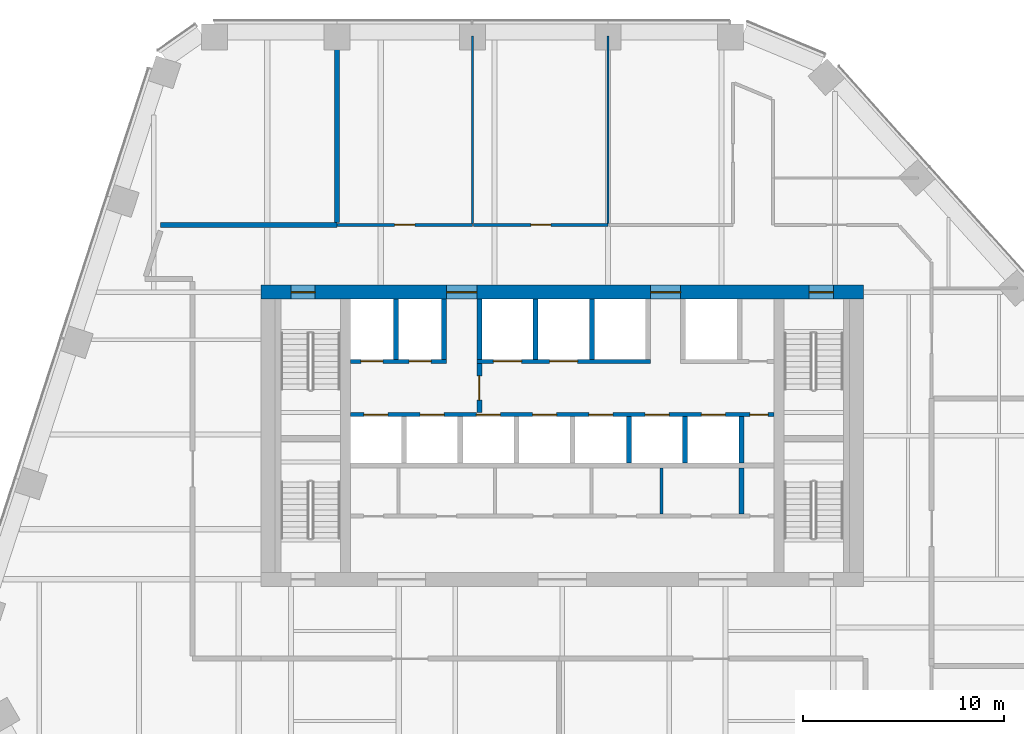
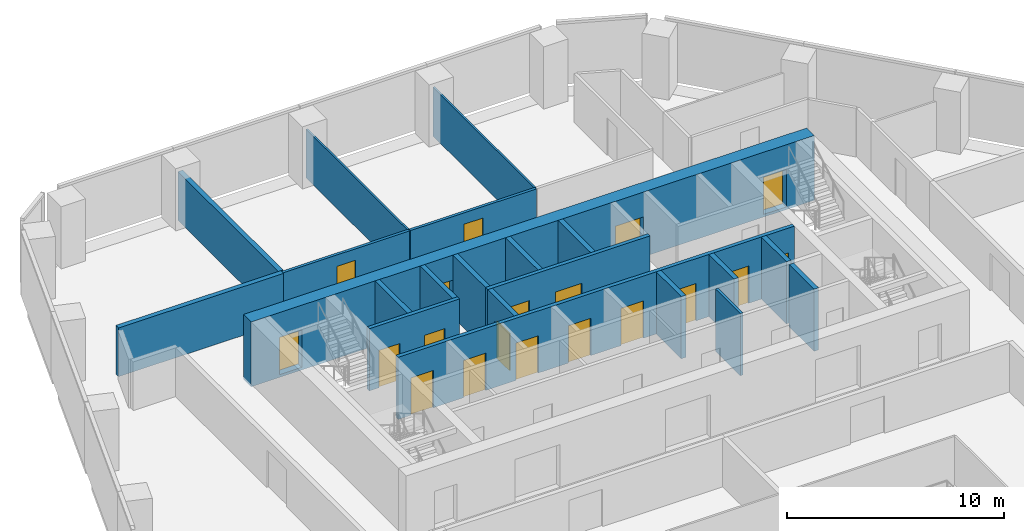
# One storey, part 12 of 16: 21 walls, 19 doors, 19 openings.
"""IFC4 building model written with IfcOpenShell, lengths in metres."""

import ifcopenshell
import ifcopenshell.guid

model = None  # the IFC model being written
_history = None  # IfcOwnerHistory: only IFC2X3 demands one
_inside = {}  # id of a spatial element -> (the spatial element, [elements in it])
_under = {}  # id of a project, library or spatial element -> (it, [spatial elements below it])
_declared = {}  # id of a project -> (the project, [libraries it declares])
_typed = {}  # id of a type object -> (the type object, [elements of that type])
_made_of = {}  # id of a material, layer set ... -> (it, [elements and type objects made of it])


def new_model(schema):
    """Start an empty IFC model of exactly this schema.

    Asked for "IFC4X3", IfcOpenShell would pick the latest addendum, in which some entities
    have other attributes; the version numbers below select the first issue.
    IFC2X3 requires an IfcOwnerHistory on every rooted entity: one is made here for all.
    """
    global model, _history
    if schema == "IFC4X3":
        model = ifcopenshell.file(schema_version=(4, 3, 0, 0))
    else:
        model = ifcopenshell.file(schema=schema)
    _inside.clear()
    _under.clear()
    _declared.clear()
    _typed.clear()
    _made_of.clear()
    _history = None
    if model.schema == "IFC2X3":
        org = make("IfcOrganization", Name="unknown")
        user = make(
            "IfcPersonAndOrganization",
            ThePerson=make("IfcPerson", FamilyName="unknown"),
            TheOrganization=org,
        )
        app = make(
            "IfcApplication",
            ApplicationDeveloper=org,
            Version="unknown",
            ApplicationFullName="unknown",
            ApplicationIdentifier="unknown",
        )
        _history = make(
            "IfcOwnerHistory",
            OwningUser=user,
            OwningApplication=app,
            ChangeAction="ADDED",
            CreationDate=0,
        )
    return model


def make(cls, **values):
    """One entity of the class cls with the attributes given. An attribute that is None is left unset."""
    return model.create_entity(
        cls, **{name: value for name, value in values.items() if value is not None}
    )


def rooted(cls, **values):
    """An entity with a GlobalId (a new one), such as an element, a storey or a relation."""
    return make(cls, GlobalId=ifcopenshell.guid.new(), OwnerHistory=_history, **values)


def si_unit(unit_type, name, prefix=None):
    """IfcSIUnit, for example si_unit("LENGTHUNIT", "METRE", prefix="MILLI")."""
    return make("IfcSIUnit", UnitType=unit_type, Prefix=prefix, Name=name)


def assignment(units):
    """IfcUnitAssignment: the units of a project."""
    return None if units is None else make("IfcUnitAssignment", Units=units)


def point(xyz):
    """IfcCartesianPoint."""
    return None if xyz is None else make("IfcCartesianPoint", Coordinates=xyz)


def direction(xyz):
    """IfcDirection."""
    return None if xyz is None else make("IfcDirection", DirectionRatios=xyz)


def frame(location, z_axis=None, x_axis=None):
    """IfcAxis2Placement3D, a coordinate frame: its origin and axes. An axis left out is left unset."""
    return make(
        "IfcAxis2Placement3D",
        Location=point(location),
        Axis=direction(z_axis),
        RefDirection=direction(x_axis),
    )


def frame_2d(location, x_axis=None):
    """IfcAxis2Placement2D, a coordinate frame in the plane: its origin and x axis."""
    return make(
        "IfcAxis2Placement2D", Location=point(location), RefDirection=direction(x_axis)
    )


def origin():
    """The frame at (0, 0, 0) with its axes left unset."""
    return frame((0.0, 0.0, 0.0))


def place(relative_to, where):
    """IfcLocalPlacement: puts the frame where relative to a parent placement (None: the world)."""
    return make(
        "IfcLocalPlacement", PlacementRelTo=relative_to, RelativePlacement=where
    )


def context(
    kind, dimensions, precision=None, world=None, true_north=None, identifier=None
):
    """IfcGeometricRepresentationContext, for example the 3D "Model" context."""
    return make(
        "IfcGeometricRepresentationContext",
        ContextIdentifier=identifier,
        ContextType=kind,
        CoordinateSpaceDimension=dimensions,
        Precision=precision,
        WorldCoordinateSystem=world,
        TrueNorth=true_north,
    )


def subcontext(parent, identifier, kind, view, scale=None):
    """IfcGeometricRepresentationSubContext, for example "Body" below "Model"."""
    return make(
        "IfcGeometricRepresentationSubContext",
        ContextIdentifier=identifier,
        ContextType=kind,
        ParentContext=parent,
        TargetScale=scale,
        TargetView=view,
    )


def project(units=None, contexts=None):
    """IfcProject with its units and contexts."""
    return rooted(
        "IfcProject",
        Name="project",
        RepresentationContexts=contexts,
        UnitsInContext=assignment(units),
    )


def spatial(cls, under=None, at=None, **own):
    """A site, building, storey or space (cls), placed at a placement, below another one or the project."""
    s = rooted(cls, ObjectPlacement=at, **own)
    if under is not None:
        _under.setdefault(under.id(), (under, []))[1].append(s)
    return s


def profile(cls, at=None, kind="AREA", **sizes):
    """A parametric profile (cls). Its sizes go by their IFC names, for example OverallWidth=200.0."""
    return make(cls, ProfileType=kind, Position=at, **sizes)


def rectangle(**sizes):
    """IfcRectangleProfileDef."""
    return profile("IfcRectangleProfileDef", **sizes)


def extrude(swept, where, along, depth):
    """IfcExtrudedAreaSolid: the profile swept, set in the frame where, extruded along a direction by depth."""
    return make(
        "IfcExtrudedAreaSolid",
        SweptArea=swept,
        Position=where,
        ExtrudedDirection=direction(along),
        Depth=depth,
    )


def shape(context_of_items, identifier, shape_type, items):
    """IfcShapeRepresentation: the items that make up one representation, for example the "Body"."""
    return make(
        "IfcShapeRepresentation",
        ContextOfItems=context_of_items,
        RepresentationIdentifier=identifier,
        RepresentationType=shape_type,
        Items=items,
    )


def material(Name=None, Category=None):
    """IfcMaterial."""
    return make("IfcMaterial", Name=Name, Category=Category)


def layer(
    of_material, thickness, ventilated=None, Name=None, Category=None, Priority=None
):
    """IfcMaterialLayer: one layer of a wall or slab, of a material (None: an air gap)."""
    return make(
        "IfcMaterialLayer",
        Material=of_material,
        LayerThickness=thickness,
        IsVentilated=ventilated,
        Name=Name,
        Category=Category,
        Priority=Priority,
    )


def layer_set(layers, Name=None):
    """IfcMaterialLayerSet."""
    return make("IfcMaterialLayerSet", MaterialLayers=layers, LayerSetName=Name)


def made_of(thing, what):
    """Note that an element or type object is made of a material, layer set ...; save() writes the relation."""
    if what is not None:
        _made_of.setdefault(what.id(), (what, []))[1].append(thing)
    return thing


def type_object(cls, material=None, **own):
    """A type object (cls), such as IfcWallType, which elements share."""
    return made_of(rooted(cls, **own), material)


def element(
    cls,
    number,
    at=None,
    inside=None,
    cuts=None,
    type_object=None,
    material=None,
    context=None,
    identifier="Body",
    shape_type=None,
    held_by="IfcProductDefinitionShape",
    body=None,
    shapes=None,
    **own,
):
    """One element of the class cls, such as IfcWall. Its Tag is "e" and its number.

    at: its placement. inside: the storey or other place that contains it. cuts: it is an
    opening in that element (IfcRelVoidsElement). A single representation is given by context,
    identifier, shape_type and body (its items); several are given by shapes. held_by: the class
    of the entity that holds the representations. save() writes the other relations.
    """
    e = rooted(cls, Tag="e%d" % number, ObjectPlacement=at, **own)
    if body is not None:
        shapes = [shape(context, identifier, shape_type, body)]
    if shapes is not None:
        e.Representation = make(held_by, Representations=shapes)
    if inside is not None:
        _inside.setdefault(inside.id(), (inside, []))[1].append(e)
    if cuts is not None:
        rooted(
            "IfcRelVoidsElement", RelatingBuildingElement=cuts, RelatedOpeningElement=e
        )
    if type_object is not None:
        _typed.setdefault(type_object.id(), (type_object, []))[1].append(e)
    return made_of(e, material)


def fill(opening, filler):
    """IfcRelFillsElement: the door or window that sits in an opening."""
    return rooted(
        "IfcRelFillsElement",
        RelatingOpeningElement=opening,
        RelatedBuildingElement=filler,
    )


def aggregate(whole, parts):
    """IfcRelAggregates: a whole, such as a stair, and the parts it consists of."""
    return rooted("IfcRelAggregates", RelatingObject=whole, RelatedObjects=parts)


def save(model, path):
    """Write the relations noted so far, then the file.

    IfcRelAggregates (storeys below a building ...), IfcRelContainedInSpatialStructure (elements
    in a storey), IfcRelDefinesByType, IfcRelAssociatesMaterial and IfcRelDeclares: one each for
    every whole, place, type object, material and project.
    """
    for whole, parts in _under.values():
        aggregate(whole, parts)
    for where, things in _inside.values():
        rooted(
            "IfcRelContainedInSpatialStructure",
            RelatedElements=things,
            RelatingStructure=where,
        )
    for kind, things in _typed.values():
        rooted("IfcRelDefinesByType", RelatedObjects=things, RelatingType=kind)
    for what, things in _made_of.values():
        rooted("IfcRelAssociatesMaterial", RelatedObjects=things, RelatingMaterial=what)
    for by, libraries in _declared.values():
        rooted("IfcRelDeclares", RelatingContext=by, RelatedDefinitions=libraries)
    model.write(path)


model = new_model("IFC4")

# Units and contexts
model_context = context("Model", 3, precision=1e-05, world=origin(), true_north=direction((0.0, 1.0)))
body_context = subcontext(model_context, "Body", "Model", "MODEL_VIEW")
ifc_project = project(units=[si_unit("LENGTHUNIT", "METRE"), si_unit("AREAUNIT", "SQUARE_METRE"), si_unit("VOLUMEUNIT", "CUBIC_METRE"), si_unit("PLANEANGLEUNIT", "RADIAN"), si_unit("MASSUNIT", "GRAM", prefix="KILO")], contexts=[model_context])

# Site, building, storey
site_placement = place(None, origin())
site = spatial("IfcSite", under=ifc_project, at=site_placement, CompositionType="ELEMENT")
building_placement = place(site_placement, origin())
building = spatial("IfcBuilding", under=site, at=building_placement, Name="Isthmus Gate Tower", CompositionType="ELEMENT")
storey_placement = place(building_placement, frame((0.0, 0.0, 196.35009765625)))
storey = spatial("IfcBuildingStorey", under=building, at=storey_placement, Name="L49", CompositionType="ELEMENT", Elevation=196.35009765625)

# Walls
ifc_material_1 = material(Name="Double-leaf acoustic stud wall, fire-rated", Category="gypsum")
ifc_layer_1 = layer(ifc_material_1, 0.25)
ifc_layer_set_1 = layer_set([ifc_layer_1], Name="ACOUSTIC WALL 250 60 MIN")
wall_type_1 = type_object("IfcWallType", Name="ACOUSTIC WALL 250 60 MIN", PredefinedType="PARTITIONING", material=ifc_layer_set_1)
wall_1_placement = place(storey_placement, frame((-19.9970703125, 18.0, 0.0), z_axis=(0.0, 0.0, 1.0), x_axis=(1.0, 0.0, 0.0)))
element("IfcWall", 1, at=wall_1_placement, inside=storey, type_object=wall_type_1, Name="L49 Acoustic Wall 250 60 Min", PredefinedType="PARTITIONING", context=body_context, shape_type="SweptSolid", body=[
    extrude(rectangle(XDim=8.78515625, YDim=0.25, at=frame_2d((4.392578125, 0.0))), origin(), (0.0, 0.0, 1.0), 2.7412109375),
])
wall_2_placement = place(storey_placement, frame((-11.2119140625, 18.125, 0.0), z_axis=(0.0, 0.0, 1.0), x_axis=(0.0, 1.0, 0.0)))
element("IfcWall", 2, at=wall_2_placement, inside=storey, type_object=wall_type_1, Name="L49 Acoustic Wall 250 60 Min", PredefinedType="PARTITIONING", context=body_context, shape_type="SweptSolid", body=[
    extrude(rectangle(XDim=9.27490234375, YDim=0.25, at=frame_2d((4.637451171875, 0.0))), origin(), (0.0, 0.0, 1.0), 2.7412109375),
])

# Wall, opening, door
ifc_material_2 = material(Name="Gypsum board on steel studs, fire-rated", Category="steel")
ifc_layer_2 = layer(ifc_material_2, 0.14990234375)
ifc_layer_set_2 = layer_set([ifc_layer_2], Name="CORRIDOR WALL 150 60 MIN")
wall_type_2 = type_object("IfcWallType", Name="CORRIDOR WALL 150 60 MIN", PredefinedType="PARTITIONING", material=ifc_layer_set_2)
wall_3_placement = place(storey_placement, frame((-11.2119140625, 18.0, 0.0), z_axis=(0.0, 0.0, 1.0), x_axis=(1.0, 0.0, 0.0)))
wall_3 = element("IfcWall", 3, at=wall_3_placement, inside=storey, type_object=wall_type_2, Name="L49 Corridor Wall 150 60 Min", PredefinedType="PARTITIONING", context=body_context, shape_type="SweptSolid", body=[
    extrude(rectangle(XDim=6.75, YDim=0.14990234375, at=frame_2d((3.375, 0.0))), origin(), (0.0, 0.0, 1.0), 2.7412109375),
])
opening_1_placement = place(wall_3_placement, frame((2.875, 0.0, 0.0)))
opening_1 = element("IfcOpeningElement", 4, at=opening_1_placement, cuts=wall_3, Name="Opening DT-T4C-01", PredefinedType="OPENING", context=body_context, shape_type="SweptSolid", body=[
    extrude(rectangle(XDim=1.0, YDim=2.10009765625, at=frame_2d((0.5, 1.050048828125))), frame((0.0, 0.0849609375, 0.0), z_axis=(0.0, -1.0, 0.0), x_axis=(1.0, 0.0, 0.0)), (0.0, 0.0, 1.0), 0.169921875),
])
ifc_material_3 = material(Name="Solid core timber door leaf, fire-rated", Category="wood")
door_type_1 = type_object("IfcDoorType", Name="FIRE DOOR ROOM 1000 X 2100 60 MIN", OperationType="SINGLE_SWING_LEFT", PredefinedType="DOOR", material=ifc_material_3)
door_1_placement = place(opening_1_placement, origin())
door_1 = element("IfcDoor", 5, at=door_1_placement, inside=storey, type_object=door_type_1, Name="L49 room door", OperationType="SINGLE_SWING_RIGHT", OverallHeight=2.10009765625, OverallWidth=1.0, PredefinedType="DOOR", context=body_context, shape_type="SweptSolid", body=[
    extrude(rectangle(XDim=1.0, YDim=2.10009765625, at=frame_2d((0.5, 1.050048828125))), frame((0.0, 0.02490234375, 0.0), z_axis=(0.0, -1.0, 0.0), x_axis=(1.0, 0.0, 0.0)), (0.0, 0.0, 1.0), 0.050048828125),
])
fill(opening_1, door_1)

wall_4_placement = place(storey_placement, frame((-4.412109375, 18.0, 0.0), z_axis=(0.0, 0.0, 1.0), x_axis=(1.0, 0.0, 0.0)))
wall_4 = element("IfcWall", 6, at=wall_4_placement, inside=storey, type_object=wall_type_2, Name="L49 Corridor Wall 150 60 Min", PredefinedType="PARTITIONING", context=body_context, shape_type="SweptSolid", body=[
    extrude(rectangle(XDim=6.7001953125, YDim=0.14990234375, at=frame_2d((3.35009765625, 0.0))), origin(), (0.0, 0.0, 1.0), 2.7412109375),
])
opening_2_placement = place(wall_4_placement, frame((2.85009765625, 0.0, 0.0)))
opening_2 = element("IfcOpeningElement", 7, at=opening_2_placement, cuts=wall_4, Name="Opening DT-T4C-02", PredefinedType="OPENING", context=body_context, shape_type="SweptSolid", body=[
    extrude(rectangle(XDim=1.0, YDim=2.10009765625, at=frame_2d((0.5, 1.050048828125))), frame((0.0, 0.0849609375, 0.0), z_axis=(0.0, -1.0, 0.0), x_axis=(1.0, 0.0, 0.0)), (0.0, 0.0, 1.0), 0.169921875),
])
door_2_placement = place(opening_2_placement, origin())
door_2 = element("IfcDoor", 8, at=door_2_placement, inside=storey, type_object=door_type_1, Name="L49 room door", OperationType="SINGLE_SWING_RIGHT", OverallHeight=2.10009765625, OverallWidth=1.0, PredefinedType="DOOR", context=body_context, shape_type="SweptSolid", body=[
    extrude(rectangle(XDim=1.0, YDim=2.10009765625, at=frame_2d((0.5, 1.050048828125))), frame((0.0, 0.02490234375, 0.0), z_axis=(0.0, -1.0, 0.0), x_axis=(1.0, 0.0, 0.0)), (0.0, 0.0, 1.0), 0.050048828125),
])
fill(opening_2, door_2)

ifc_material_4 = material(Name="Fire-rated blockwork masonry, 15 MPa", Category="masonry")
ifc_layer_3 = layer(ifc_material_4, 0.25)
ifc_layer_set_3 = layer_set([ifc_layer_3], Name="FIRE-FIGHTING LOBBY WALL 250 90 MIN")
wall_type_3 = type_object("IfcWallType", Name="FIRE-FIGHTING LOBBY WALL 250 90 MIN", PredefinedType="PARTITIONING", material=ifc_layer_set_3)
wall_5_placement = place(storey_placement, frame((-4.125, 8.64990234375, 0.0), z_axis=(0.0, 0.0, 1.0), x_axis=(0.0, 1.0, 0.0)))
wall_5 = element("IfcWall", 9, at=wall_5_placement, inside=storey, type_object=wall_type_3, Name="L49 FIRE-FIGHTING LOBBY WALL 250 90 MIN", PredefinedType="PARTITIONING", context=body_context, shape_type="SweptSolid", body=[
    extrude(rectangle(XDim=2.4501953125, YDim=0.25, at=frame_2d((1.22509765625, 0.0))), origin(), (0.0, 0.0, 1.0), 3.5),
])
opening_3_placement = place(wall_5_placement, frame((0.625, 0.0, 0.0)))
opening_3 = element("IfcOpeningElement", 10, at=opening_3_placement, cuts=wall_5, Name="Opening DC-A12-01", PredefinedType="OPENING", context=body_context, shape_type="SweptSolid", body=[
    extrude(rectangle(XDim=1.199951171875, YDim=2.10009765625, at=frame_2d((0.60009765625, 1.050048828125))), frame((0.0, 0.135009765625, 0.0), z_axis=(0.0, -1.0, 0.0), x_axis=(1.0, 0.0, 0.0)), (0.0, 0.0, 1.0), 0.27001953125),
])
ifc_material_5 = material(Name="Steel door leaf, fire-rated", Category="steel")
door_type_2 = type_object("IfcDoorType", Name="LOBBY FIRE DOOR 1200 X 2100 90 MIN", OperationType="DOUBLE_DOOR_SINGLE_SWING", PredefinedType="DOOR", material=ifc_material_5)
door_3_placement = place(opening_3_placement, origin())
door_3 = element("IfcDoor", 11, at=door_3_placement, inside=storey, type_object=door_type_2, Name="Fire-fighting Lobby Door", OperationType="SINGLE_SWING_LEFT", OverallHeight=2.10009765625, OverallWidth=1.199951171875, PredefinedType="DOOR", context=body_context, shape_type="SweptSolid", body=[
    extrude(rectangle(XDim=1.199951171875, YDim=2.10009765625, at=frame_2d((0.60009765625, 1.050048828125))), frame((0.0, 0.02490234375, 0.0), z_axis=(0.0, -1.0, 0.0), x_axis=(1.0, 0.0, 0.0)), (0.0, 0.0, 1.0), 0.050048828125),
])
fill(opening_3, door_3)

# Wall, openings, doors
ifc_material_6 = material(Name="Concrete f'c 60 MPa", Category="concrete")
ifc_layer_4 = layer(ifc_material_6, 0.699951171875)
ifc_layer_set_4 = layer_set([ifc_layer_4], Name="RC CORE WALL 700 F'C 60")
wall_type_4 = type_object("IfcWallType", Name="RC CORE WALL 700 F'C 60", PredefinedType="SOLIDWALL", material=ifc_layer_set_4)
wall_6_placement = place(storey_placement, frame((-15.0, 14.64990234375, -0.150146484375), z_axis=(0.0, 0.0, 1.0), x_axis=(1.0, 0.0, 0.0)))
wall_6 = element("IfcWall", 12, at=wall_6_placement, inside=storey, type_object=wall_type_4, Name="str-corewall-L49-N", PredefinedType="SOLIDWALL", context=body_context, shape_type="SweptSolid", body=[
    extrude(rectangle(XDim=30.0, YDim=0.699951171875, at=frame_2d((15.0, 0.0))), origin(), (0.0, 0.0, 1.0), 3.650146484375),
])
opening_4_placement = place(wall_6_placement, frame((9.25, 0.0, 0.14990234375)))
opening_4 = element("IfcOpeningElement", 13, at=opening_4_placement, cuts=wall_6, Name="Opening DC-A12-13", PredefinedType="OPENING", context=body_context, shape_type="SweptSolid", body=[
    extrude(rectangle(XDim=1.5, YDim=2.10009765625, at=frame_2d((0.75, 1.050048828125))), frame((0.0, 0.35986328125, 0.0), z_axis=(0.0, -1.0, 0.0), x_axis=(1.0, 0.0, 0.0)), (0.0, 0.0, 1.0), 0.719970703125),
])
opening_5_placement = place(wall_6_placement, frame((19.39990234375, 0.0, 0.14990234375)))
opening_5 = element("IfcOpeningElement", 14, at=opening_5_placement, cuts=wall_6, Name="Opening DC-A12-14", PredefinedType="OPENING", context=body_context, shape_type="SweptSolid", body=[
    extrude(rectangle(XDim=1.5, YDim=2.10009765625, at=frame_2d((0.75, 1.050048828125))), frame((0.0, 0.35986328125, 0.0), z_axis=(0.0, -1.0, 0.0), x_axis=(1.0, 0.0, 0.0)), (0.0, 0.0, 1.0), 0.719970703125),
])
opening_6_placement = place(wall_6_placement, frame((1.5, 0.0, 0.14990234375)))
opening_6 = element("IfcOpeningElement", 15, at=opening_6_placement, cuts=wall_6, Name="Opening DC-A12-15", PredefinedType="OPENING", context=body_context, shape_type="SweptSolid", body=[
    extrude(rectangle(XDim=1.199951171875, YDim=2.10009765625, at=frame_2d((0.60009765625, 1.050048828125))), frame((0.0, 0.35986328125, 0.0), z_axis=(0.0, -1.0, 0.0), x_axis=(1.0, 0.0, 0.0)), (0.0, 0.0, 1.0), 0.719970703125),
])
opening_7_placement = place(wall_6_placement, frame((27.300048828125, 0.0, 0.14990234375)))
opening_7 = element("IfcOpeningElement", 16, at=opening_7_placement, cuts=wall_6, Name="Opening DC-A12-16", PredefinedType="OPENING", context=body_context, shape_type="SweptSolid", body=[
    extrude(rectangle(XDim=1.199951171875, YDim=2.10009765625, at=frame_2d((0.60009765625, 1.050048828125))), frame((0.0, 0.35986328125, 0.0), z_axis=(0.0, -1.0, 0.0), x_axis=(1.0, 0.0, 0.0)), (0.0, 0.0, 1.0), 0.719970703125),
])
ifc_material_7 = material(Name="Steel door leaf, fire-rated", Category="steel")
door_type_3 = type_object("IfcDoorType", Name="LOBBY FIRE DOOR 1500 X 2100 60 MIN", OperationType="DOUBLE_DOOR_SINGLE_SWING", PredefinedType="DOOR", material=ifc_material_7)
door_4_placement = place(opening_5_placement, origin())
door_4 = element("IfcDoor", 17, at=door_4_placement, inside=storey, type_object=door_type_3, Name="Lobby Door PN-E", OperationType="DOUBLE_DOOR_SINGLE_SWING", OverallHeight=2.10009765625, OverallWidth=1.5, PredefinedType="DOOR", context=body_context, shape_type="SweptSolid", body=[
    extrude(rectangle(XDim=1.5, YDim=2.10009765625, at=frame_2d((0.75, 1.050048828125))), frame((0.0, 0.02490234375, 0.0), z_axis=(0.0, -1.0, 0.0), x_axis=(1.0, 0.0, 0.0)), (0.0, 0.0, 1.0), 0.050048828125),
])
fill(opening_5, door_4)
ifc_material_8 = material(Name="Steel door leaf, fire-rated", Category="steel")
door_type_4 = type_object("IfcDoorType", Name="LOBBY FIRE DOOR 1500 X 2100 90 MIN", OperationType="DOUBLE_DOOR_SINGLE_SWING", PredefinedType="DOOR", material=ifc_material_8)
door_5_placement = place(opening_4_placement, origin())
door_5 = element("IfcDoor", 18, at=door_5_placement, inside=storey, type_object=door_type_4, Name="Lobby Door PN-W", OperationType="DOUBLE_DOOR_SINGLE_SWING", OverallHeight=2.10009765625, OverallWidth=1.5, PredefinedType="DOOR", context=body_context, shape_type="SweptSolid", body=[
    extrude(rectangle(XDim=1.5, YDim=2.10009765625, at=frame_2d((0.75, 1.050048828125))), frame((0.0, 0.02490234375, 0.0), z_axis=(0.0, -1.0, 0.0), x_axis=(1.0, 0.0, 0.0)), (0.0, 0.0, 1.0), 0.050048828125),
])
fill(opening_4, door_5)
ifc_material_9 = material(Name="Steel door leaf, fire-rated", Category="steel")
door_type_5 = type_object("IfcDoorType", Name="STAIR FIRE DOOR 1200 X 2100 90 MIN", OperationType="SINGLE_SWING_LEFT", PredefinedType="DOOR", material=ifc_material_9)
door_6_placement = place(opening_6_placement, origin())
door_6 = element("IfcDoor", 19, at=door_6_placement, inside=storey, type_object=door_type_5, Name="Exit Stair 1 Door", OperationType="SINGLE_SWING_RIGHT", OverallHeight=2.10009765625, OverallWidth=1.199951171875, PredefinedType="DOOR", context=body_context, shape_type="SweptSolid", body=[
    extrude(rectangle(XDim=1.199951171875, YDim=2.10009765625, at=frame_2d((0.60009765625, 1.050048828125))), frame((0.0, 0.02490234375, 0.0), z_axis=(0.0, -1.0, 0.0), x_axis=(1.0, 0.0, 0.0)), (0.0, 0.0, 1.0), 0.050048828125),
])
fill(opening_6, door_6)
door_7_placement = place(opening_7_placement, origin())
door_7 = element("IfcDoor", 20, at=door_7_placement, inside=storey, type_object=door_type_5, Name="Exit Stair 2 Door", OperationType="SINGLE_SWING_LEFT", OverallHeight=2.10009765625, OverallWidth=1.199951171875, PredefinedType="DOOR", context=body_context, shape_type="SweptSolid", body=[
    extrude(rectangle(XDim=1.199951171875, YDim=2.10009765625, at=frame_2d((0.60009765625, 1.050048828125))), frame((0.0, 0.02490234375, 0.0), z_axis=(0.0, -1.0, 0.0), x_axis=(1.0, 0.0, 0.0)), (0.0, 0.0, 1.0), 0.050048828125),
])
fill(opening_7, door_7)

# Walls
ifc_material_10 = material(Name="Gypsum board on steel studs, fire-rated", Category="steel")
ifc_layer_5 = layer(ifc_material_10, 0.10009765625)
ifc_layer_set_5 = layer_set([ifc_layer_5], Name="ROOM PARTITION 100 30 MIN")
wall_type_5 = type_object("IfcWallType", Name="ROOM PARTITION 100 30 MIN", PredefinedType="PARTITIONING", material=ifc_layer_set_5)
for number, where, z_axis, x_axis, name in (
    (21, (-4.4619140625, 18.074951171875, 0.0), (0.0, 0.0, 1.0), (0.0, 1.0, 0.0), "L49 Room Partition 100 30 Min"),
    (22, (2.2880859375, 18.074951171875, 0.0), (0.0, 0.0, 1.0), (0.0, 1.0, 0.0), "L49 Room Partition 100 30 Min"),
):
    element("IfcWall", number, at=place(storey_placement, frame(where, z_axis=z_axis, x_axis=x_axis)), inside=storey, type_object=wall_type_5, Name=name, PredefinedType="PARTITIONING", context=body_context, shape_type="SweptSolid", body=[
        extrude(rectangle(XDim=9.324951171875, YDim=0.10009765625, at=frame_2d((4.66259765625, 0.0))), origin(), (0.0, 0.0, 1.0), 2.7412109375),
    ])
ifc_material_11 = material(Name="Gypsum board on steel studs, fire-rated", Category="steel")
ifc_layer_6 = layer(ifc_material_11, 0.14990234375)
ifc_layer_set_6 = layer_set([ifc_layer_6], Name="ROOM PARTITION 150 60 MIN")
wall_type_6 = type_object("IfcWallType", Name="ROOM PARTITION 150 60 MIN", PredefinedType="PARTITIONING", material=ifc_layer_set_6)
wall_7_placement = place(storey_placement, frame((4.949951171875, 3.60009765625, 0.0), z_axis=(0.0, 0.0, 1.0), x_axis=(0.0, 1.0, 0.0)))
element("IfcWall", 23, at=wall_7_placement, inside=storey, type_object=wall_type_6, Name="L49 ROOM PARTITION 150 60 MIN", PredefinedType="PARTITIONING", context=body_context, shape_type="SweptSolid", body=[
    extrude(rectangle(XDim=2.2998046875, YDim=0.14990234375, at=frame_2d((1.14990234375, 0.0))), origin(), (0.0, 0.0, 1.0), 3.5),
])

# Wall, openings, doors
ifc_material_12 = material(Name="Fire-rated blockwork masonry, 15 MPa", Category="masonry")
ifc_layer_7 = layer(ifc_material_12, 0.199951171875)
ifc_layer_set_7 = layer_set([ifc_layer_7], Name="SHAFT FRONT WALL 200 120 MIN")
wall_type_7 = type_object("IfcWallType", Name="SHAFT FRONT WALL 200 120 MIN", PredefinedType="PARTITIONING", material=ifc_layer_set_7)
wall_8_placement = place(storey_placement, frame((-10.550048828125, 8.550048828125, 0.0), z_axis=(0.0, 0.0, 1.0), x_axis=(1.0, 0.0, 0.0)))
wall_8 = element("IfcWall", 24, at=wall_8_placement, inside=storey, type_object=wall_type_7, Name="L49 SHAFT FRONT WALL 200 120 MIN", PredefinedType="PARTITIONING", context=body_context, shape_type="SweptSolid", body=[
    extrude(rectangle(XDim=21.10009765625, YDim=0.199951171875, at=frame_2d((10.550048828125, 0.0))), origin(), (0.0, 0.0, 1.0), 3.5),
])
opening_8_placement = place(wall_8_placement, frame((0.675048828125, 0.0, 0.0)))
opening_8 = element("IfcOpeningElement", 25, at=opening_8_placement, cuts=wall_8, Name="Opening LD-LB1", PredefinedType="OPENING", context=body_context, shape_type="SweptSolid", body=[
    extrude(rectangle(XDim=1.199951171875, YDim=2.10009765625, at=frame_2d((0.60009765625, 1.050048828125))), frame((0.0, 0.10986328125, 0.0), z_axis=(0.0, -1.0, 0.0), x_axis=(1.0, 0.0, 0.0)), (0.0, 0.0, 1.0), 0.219970703125),
])
opening_9_placement = place(wall_8_placement, frame((3.47509765625, 0.0, 0.0)))
opening_9 = element("IfcOpeningElement", 26, at=opening_9_placement, cuts=wall_8, Name="Opening LD-LB2", PredefinedType="OPENING", context=body_context, shape_type="SweptSolid", body=[
    extrude(rectangle(XDim=1.199951171875, YDim=2.10009765625, at=frame_2d((0.60009765625, 1.050048828125))), frame((0.0, 0.10986328125, 0.0), z_axis=(0.0, -1.0, 0.0), x_axis=(1.0, 0.0, 0.0)), (0.0, 0.0, 1.0), 0.219970703125),
])
opening_10_placement = place(wall_8_placement, frame((6.27490234375, 0.0, 0.0)))
opening_10 = element("IfcOpeningElement", 27, at=opening_10_placement, cuts=wall_8, Name="Opening LD-LB3", PredefinedType="OPENING", context=body_context, shape_type="SweptSolid", body=[
    extrude(rectangle(XDim=1.199951171875, YDim=2.10009765625, at=frame_2d((0.60009765625, 1.050048828125))), frame((0.0, 0.10986328125, 0.0), z_axis=(0.0, -1.0, 0.0), x_axis=(1.0, 0.0, 0.0)), (0.0, 0.0, 1.0), 0.219970703125),
])
opening_11_placement = place(wall_8_placement, frame((9.074951171875, 0.0, 0.0)))
opening_11 = element("IfcOpeningElement", 28, at=opening_11_placement, cuts=wall_8, Name="Opening LD-LB4", PredefinedType="OPENING", context=body_context, shape_type="SweptSolid", body=[
    extrude(rectangle(XDim=1.199951171875, YDim=2.10009765625, at=frame_2d((0.60009765625, 1.050048828125))), frame((0.0, 0.10986328125, 0.0), z_axis=(0.0, -1.0, 0.0), x_axis=(1.0, 0.0, 0.0)), (0.0, 0.0, 1.0), 0.219970703125),
])
opening_12_placement = place(wall_8_placement, frame((11.875, 0.0, 0.0)))
opening_12 = element("IfcOpeningElement", 29, at=opening_12_placement, cuts=wall_8, Name="Opening LD-LB5", PredefinedType="OPENING", context=body_context, shape_type="SweptSolid", body=[
    extrude(rectangle(XDim=1.199951171875, YDim=2.10009765625, at=frame_2d((0.60009765625, 1.050048828125))), frame((0.0, 0.10986328125, 0.0), z_axis=(0.0, -1.0, 0.0), x_axis=(1.0, 0.0, 0.0)), (0.0, 0.0, 1.0), 0.219970703125),
])
opening_13_placement = place(wall_8_placement, frame((14.675048828125, 0.0, 0.0)))
opening_13 = element("IfcOpeningElement", 30, at=opening_13_placement, cuts=wall_8, Name="Opening LD-LB6", PredefinedType="OPENING", context=body_context, shape_type="SweptSolid", body=[
    extrude(rectangle(XDim=1.199951171875, YDim=2.10009765625, at=frame_2d((0.60009765625, 1.050048828125))), frame((0.0, 0.10986328125, 0.0), z_axis=(0.0, -1.0, 0.0), x_axis=(1.0, 0.0, 0.0)), (0.0, 0.0, 1.0), 0.219970703125),
])
opening_14_placement = place(wall_8_placement, frame((17.47509765625, 0.0, 0.0)))
opening_14 = element("IfcOpeningElement", 31, at=opening_14_placement, cuts=wall_8, Name="Opening LD-LB7", PredefinedType="OPENING", context=body_context, shape_type="SweptSolid", body=[
    extrude(rectangle(XDim=1.199951171875, YDim=2.10009765625, at=frame_2d((0.60009765625, 1.050048828125))), frame((0.0, 0.10986328125, 0.0), z_axis=(0.0, -1.0, 0.0), x_axis=(1.0, 0.0, 0.0)), (0.0, 0.0, 1.0), 0.219970703125),
])
opening_15_placement = place(wall_8_placement, frame((19.89990234375, 0.0, 0.0)))
opening_15 = element("IfcOpeningElement", 32, at=opening_15_placement, cuts=wall_8, Name="Opening DC-A12-08", PredefinedType="OPENING", context=body_context, shape_type="SweptSolid", body=[
    extrude(rectangle(XDim=0.89990234375, YDim=2.10009765625, at=frame_2d((0.449951171875, 1.050048828125))), frame((0.0, 0.10986328125, 0.0), z_axis=(0.0, -1.0, 0.0), x_axis=(1.0, 0.0, 0.0)), (0.0, 0.0, 1.0), 0.219970703125),
])
ifc_material_13 = material(Name="Stainless steel sliding leaf", Category="steel")
door_type_6 = type_object("IfcDoorType", Name="LIFT LANDING FIRE DOOR 1200 X 2100 90 MIN", OperationType="DOUBLE_DOOR_SLIDING", PredefinedType="DOOR", material=ifc_material_13)
door_8_placement = place(opening_8_placement, origin())
door_8 = element("IfcDoor", 33, at=door_8_placement, inside=storey, type_object=door_type_6, Name="Lift Landing Door LB1", OperationType="DOUBLE_DOOR_SLIDING", OverallHeight=2.10009765625, OverallWidth=1.199951171875, PredefinedType="DOOR", context=body_context, shape_type="SweptSolid", body=[
    extrude(rectangle(XDim=1.199951171875, YDim=2.10009765625, at=frame_2d((0.60009765625, 1.050048828125))), frame((0.0, 0.02490234375, 0.0), z_axis=(0.0, -1.0, 0.0), x_axis=(1.0, 0.0, 0.0)), (0.0, 0.0, 1.0), 0.050048828125),
])
fill(opening_8, door_8)
door_9_placement = place(opening_9_placement, origin())
door_9 = element("IfcDoor", 34, at=door_9_placement, inside=storey, type_object=door_type_6, Name="Lift Landing Door LB2", OperationType="DOUBLE_DOOR_SLIDING", OverallHeight=2.10009765625, OverallWidth=1.199951171875, PredefinedType="DOOR", context=body_context, shape_type="SweptSolid", body=[
    extrude(rectangle(XDim=1.199951171875, YDim=2.10009765625, at=frame_2d((0.60009765625, 1.050048828125))), frame((0.0, 0.02490234375, 0.0), z_axis=(0.0, -1.0, 0.0), x_axis=(1.0, 0.0, 0.0)), (0.0, 0.0, 1.0), 0.050048828125),
])
fill(opening_9, door_9)
door_10_placement = place(opening_10_placement, origin())
door_10 = element("IfcDoor", 35, at=door_10_placement, inside=storey, type_object=door_type_6, Name="Lift Landing Door LB3", OperationType="DOUBLE_DOOR_SLIDING", OverallHeight=2.10009765625, OverallWidth=1.199951171875, PredefinedType="DOOR", context=body_context, shape_type="SweptSolid", body=[
    extrude(rectangle(XDim=1.199951171875, YDim=2.10009765625, at=frame_2d((0.60009765625, 1.050048828125))), frame((0.0, 0.02490234375, 0.0), z_axis=(0.0, -1.0, 0.0), x_axis=(1.0, 0.0, 0.0)), (0.0, 0.0, 1.0), 0.050048828125),
])
fill(opening_10, door_10)
door_11_placement = place(opening_11_placement, origin())
door_11 = element("IfcDoor", 36, at=door_11_placement, inside=storey, type_object=door_type_6, Name="Lift Landing Door LB4", OperationType="DOUBLE_DOOR_SLIDING", OverallHeight=2.10009765625, OverallWidth=1.199951171875, PredefinedType="DOOR", context=body_context, shape_type="SweptSolid", body=[
    extrude(rectangle(XDim=1.199951171875, YDim=2.10009765625, at=frame_2d((0.60009765625, 1.050048828125))), frame((0.0, 0.02490234375, 0.0), z_axis=(0.0, -1.0, 0.0), x_axis=(1.0, 0.0, 0.0)), (0.0, 0.0, 1.0), 0.050048828125),
])
fill(opening_11, door_11)
door_12_placement = place(opening_12_placement, origin())
door_12 = element("IfcDoor", 37, at=door_12_placement, inside=storey, type_object=door_type_6, Name="Lift Landing Door LB5", OperationType="DOUBLE_DOOR_SLIDING", OverallHeight=2.10009765625, OverallWidth=1.199951171875, PredefinedType="DOOR", context=body_context, shape_type="SweptSolid", body=[
    extrude(rectangle(XDim=1.199951171875, YDim=2.10009765625, at=frame_2d((0.60009765625, 1.050048828125))), frame((0.0, 0.02490234375, 0.0), z_axis=(0.0, -1.0, 0.0), x_axis=(1.0, 0.0, 0.0)), (0.0, 0.0, 1.0), 0.050048828125),
])
fill(opening_12, door_12)
door_13_placement = place(opening_13_placement, origin())
door_13 = element("IfcDoor", 38, at=door_13_placement, inside=storey, type_object=door_type_6, Name="Lift Landing Door LB6", OperationType="DOUBLE_DOOR_SLIDING", OverallHeight=2.10009765625, OverallWidth=1.199951171875, PredefinedType="DOOR", context=body_context, shape_type="SweptSolid", body=[
    extrude(rectangle(XDim=1.199951171875, YDim=2.10009765625, at=frame_2d((0.60009765625, 1.050048828125))), frame((0.0, 0.02490234375, 0.0), z_axis=(0.0, -1.0, 0.0), x_axis=(1.0, 0.0, 0.0)), (0.0, 0.0, 1.0), 0.050048828125),
])
fill(opening_13, door_13)
door_14_placement = place(opening_14_placement, origin())
door_14 = element("IfcDoor", 39, at=door_14_placement, inside=storey, type_object=door_type_6, Name="Lift Landing Door LB7", OperationType="DOUBLE_DOOR_SLIDING", OverallHeight=2.10009765625, OverallWidth=1.199951171875, PredefinedType="DOOR", context=body_context, shape_type="SweptSolid", body=[
    extrude(rectangle(XDim=1.199951171875, YDim=2.10009765625, at=frame_2d((0.60009765625, 1.050048828125))), frame((0.0, 0.02490234375, 0.0), z_axis=(0.0, -1.0, 0.0), x_axis=(1.0, 0.0, 0.0)), (0.0, 0.0, 1.0), 0.050048828125),
])
fill(opening_14, door_14)
ifc_material_14 = material(Name="Steel door leaf, fire-rated", Category="steel")
door_type_7 = type_object("IfcDoorType", Name="RISER FIRE DOOR 900 X 2100 90 MIN", OperationType="SINGLE_SWING_LEFT", PredefinedType="DOOR", material=ifc_material_14)
door_15_placement = place(opening_15_placement, origin())
door_15 = element("IfcDoor", 40, at=door_15_placement, inside=storey, type_object=door_type_7, Name="Riser Door", OperationType="SINGLE_SWING_RIGHT", OverallHeight=2.10009765625, OverallWidth=0.89990234375, PredefinedType="DOOR", context=body_context, shape_type="SweptSolid", body=[
    extrude(rectangle(XDim=0.89990234375, YDim=2.10009765625, at=frame_2d((0.449951171875, 1.050048828125))), frame((0.0, 0.02490234375, 0.0), z_axis=(0.0, -1.0, 0.0), x_axis=(1.0, 0.0, 0.0)), (0.0, 0.0, 1.0), 0.050048828125),
])
fill(opening_15, door_15)

wall_9_placement = place(storey_placement, frame((-10.550048828125, 11.199951171875, 0.0), z_axis=(0.0, 0.0, 1.0), x_axis=(1.0, 0.0, 0.0)))
wall_9 = element("IfcWall", 41, at=wall_9_placement, inside=storey, type_object=wall_type_7, Name="L49 SHAFT FRONT WALL 200 120 MIN", PredefinedType="PARTITIONING", context=body_context, shape_type="SweptSolid", body=[
    extrude(rectangle(XDim=4.800048828125, YDim=0.199951171875, at=frame_2d((2.39990234375, 0.0))), origin(), (0.0, 0.0, 1.0), 3.5),
])
opening_16_placement = place(wall_9_placement, frame((0.52490234375, 0.0, 0.0)))
opening_16 = element("IfcOpeningElement", 42, at=opening_16_placement, cuts=wall_9, Name="Opening LD-LF1", PredefinedType="OPENING", context=body_context, shape_type="SweptSolid", body=[
    extrude(rectangle(XDim=1.10009765625, YDim=2.10009765625, at=frame_2d((0.550048828125, 1.050048828125))), frame((0.0, 0.10986328125, 0.0), z_axis=(0.0, -1.0, 0.0), x_axis=(1.0, 0.0, 0.0)), (0.0, 0.0, 1.0), 0.219970703125),
])
opening_17_placement = place(wall_9_placement, frame((2.925048828125, 0.0, 0.0)))
opening_17 = element("IfcOpeningElement", 43, at=opening_17_placement, cuts=wall_9, Name="Opening LD-LF2", PredefinedType="OPENING", context=body_context, shape_type="SweptSolid", body=[
    extrude(rectangle(XDim=1.10009765625, YDim=2.10009765625, at=frame_2d((0.550048828125, 1.050048828125))), frame((0.0, 0.10986328125, 0.0), z_axis=(0.0, -1.0, 0.0), x_axis=(1.0, 0.0, 0.0)), (0.0, 0.0, 1.0), 0.219970703125),
])
ifc_material_15 = material(Name="Stainless steel sliding leaf", Category="steel")
door_type_8 = type_object("IfcDoorType", Name="LIFT LANDING FIRE DOOR 1100 X 2100 90 MIN", OperationType="DOUBLE_DOOR_SLIDING", PredefinedType="DOOR", material=ifc_material_15)
door_16_placement = place(opening_16_placement, origin())
door_16 = element("IfcDoor", 44, at=door_16_placement, inside=storey, type_object=door_type_8, Name="Lift Landing Door LF1", OperationType="DOUBLE_DOOR_SLIDING", OverallHeight=2.10009765625, OverallWidth=1.10009765625, PredefinedType="DOOR", context=body_context, shape_type="SweptSolid", body=[
    extrude(rectangle(XDim=1.10009765625, YDim=2.10009765625, at=frame_2d((0.550048828125, 1.050048828125))), frame((0.0, 0.02490234375, 0.0), z_axis=(0.0, -1.0, 0.0), x_axis=(1.0, 0.0, 0.0)), (0.0, 0.0, 1.0), 0.050048828125),
])
fill(opening_16, door_16)
door_17_placement = place(opening_17_placement, origin())
door_17 = element("IfcDoor", 45, at=door_17_placement, inside=storey, type_object=door_type_8, Name="Lift Landing Door LF2", OperationType="DOUBLE_DOOR_SLIDING", OverallHeight=2.10009765625, OverallWidth=1.10009765625, PredefinedType="DOOR", context=body_context, shape_type="SweptSolid", body=[
    extrude(rectangle(XDim=1.10009765625, YDim=2.10009765625, at=frame_2d((0.550048828125, 1.050048828125))), frame((0.0, 0.02490234375, 0.0), z_axis=(0.0, -1.0, 0.0), x_axis=(1.0, 0.0, 0.0)), (0.0, 0.0, 1.0), 0.050048828125),
])
fill(opening_17, door_17)

wall_10_placement = place(storey_placement, frame((-4.25, 11.199951171875, 0.0), z_axis=(0.0, 0.0, 1.0), x_axis=(1.0, 0.0, 0.0)))
wall_10 = element("IfcWall", 46, at=wall_10_placement, inside=storey, type_object=wall_type_7, Name="L49 SHAFT FRONT WALL 200 120 MIN", PredefinedType="PARTITIONING", context=body_context, shape_type="SweptSolid", body=[
    extrude(rectangle(XDim=8.64990234375, YDim=0.199951171875, at=frame_2d((4.324951171875, 0.0))), origin(), (0.0, 0.0, 1.0), 3.5),
])
opening_18_placement = place(wall_10_placement, frame((0.824951171875, 0.0, 0.0)))
opening_18 = element("IfcOpeningElement", 47, at=opening_18_placement, cuts=wall_10, Name="Opening LD-LV1", PredefinedType="OPENING", context=body_context, shape_type="SweptSolid", body=[
    extrude(rectangle(XDim=1.39990234375, YDim=2.10009765625, at=frame_2d((0.699951171875, 1.050048828125))), frame((0.0, 0.10986328125, 0.0), z_axis=(0.0, -1.0, 0.0), x_axis=(1.0, 0.0, 0.0)), (0.0, 0.0, 1.0), 0.219970703125),
])
opening_19_placement = place(wall_10_placement, frame((3.625, 0.0, 0.0)))
opening_19 = element("IfcOpeningElement", 48, at=opening_19_placement, cuts=wall_10, Name="Opening LD-LV2", PredefinedType="OPENING", context=body_context, shape_type="SweptSolid", body=[
    extrude(rectangle(XDim=1.39990234375, YDim=2.10009765625, at=frame_2d((0.699951171875, 1.050048828125))), frame((0.0, 0.10986328125, 0.0), z_axis=(0.0, -1.0, 0.0), x_axis=(1.0, 0.0, 0.0)), (0.0, 0.0, 1.0), 0.219970703125),
])
ifc_material_16 = material(Name="Stainless steel sliding leaf", Category="steel")
door_type_9 = type_object("IfcDoorType", Name="LIFT LANDING FIRE DOOR 1400 X 2100 90 MIN", OperationType="DOUBLE_DOOR_SLIDING", PredefinedType="DOOR", material=ifc_material_16)
door_18_placement = place(opening_18_placement, origin())
door_18 = element("IfcDoor", 49, at=door_18_placement, inside=storey, type_object=door_type_9, Name="Lift Landing Door LV1", OperationType="DOUBLE_DOOR_SLIDING", OverallHeight=2.10009765625, OverallWidth=1.39990234375, PredefinedType="DOOR", context=body_context, shape_type="SweptSolid", body=[
    extrude(rectangle(XDim=1.39990234375, YDim=2.10009765625, at=frame_2d((0.699951171875, 1.050048828125))), frame((0.0, 0.02490234375, 0.0), z_axis=(0.0, -1.0, 0.0), x_axis=(1.0, 0.0, 0.0)), (0.0, 0.0, 1.0), 0.050048828125),
])
fill(opening_18, door_18)
door_19_placement = place(opening_19_placement, origin())
door_19 = element("IfcDoor", 50, at=door_19_placement, inside=storey, type_object=door_type_9, Name="Lift Landing Door LV2", OperationType="DOUBLE_DOOR_SLIDING", OverallHeight=2.10009765625, OverallWidth=1.39990234375, PredefinedType="DOOR", context=body_context, shape_type="SweptSolid", body=[
    extrude(rectangle(XDim=1.39990234375, YDim=2.10009765625, at=frame_2d((0.699951171875, 1.050048828125))), frame((0.0, 0.02490234375, 0.0), z_axis=(0.0, -1.0, 0.0), x_axis=(1.0, 0.0, 0.0)), (0.0, 0.0, 1.0), 0.050048828125),
])
fill(opening_19, door_19)

# Walls
ifc_material_17 = material(Name="Fire-rated blockwork masonry, 15 MPa", Category="masonry")
ifc_layer_8 = layer(ifc_material_17, 0.25)
ifc_layer_set_8 = layer_set([ifc_layer_8], Name="SHAFT WALL 250 120 MIN")
wall_type_8 = type_object("IfcWallType", Name="SHAFT WALL 250 120 MIN", PredefinedType="PARTITIONING", material=ifc_layer_set_8)
wall_11_placement = place(storey_placement, frame((8.925048828125, 3.60009765625, 0.0), z_axis=(0.0, 0.0, 1.0), x_axis=(0.0, 1.0, 0.0)))
element("IfcWall", 51, at=wall_11_placement, inside=storey, type_object=wall_type_8, Name="L49 SHAFT WALL 250 120 MIN", PredefinedType="PARTITIONING", context=body_context, shape_type="SweptSolid", body=[
    extrude(rectangle(XDim=2.2998046875, YDim=0.25, at=frame_2d((1.14990234375, 0.0))), origin(), (0.0, 0.0, 1.0), 3.5),
])
for number, where, z_axis, x_axis, name in (
    (52, (3.324951171875, 6.14990234375, 0.0), (0.0, 0.0, 1.0), (0.0, 1.0, 0.0), "L49 SHAFT WALL 250 120 MIN"),
    (53, (6.125, 6.14990234375, 0.0), (0.0, 0.0, 1.0), (0.0, 1.0, 0.0), "L49 SHAFT WALL 250 120 MIN"),
    (54, (8.925048828125, 6.14990234375, 0.0), (0.0, 0.0, 1.0), (0.0, 1.0, 0.0), "L49 SHAFT WALL 250 120 MIN"),
):
    element("IfcWall", number, at=place(storey_placement, frame(where, z_axis=z_axis, x_axis=x_axis)), inside=storey, type_object=wall_type_8, Name=name, PredefinedType="PARTITIONING", context=body_context, shape_type="SweptSolid", body=[
        extrude(rectangle(XDim=2.300048828125, YDim=0.25, at=frame_2d((1.14990234375, 0.0))), origin(), (0.0, 0.0, 1.0), 3.5),
    ])
for number, where, z_axis, x_axis, name in (
    (55, (-8.27490234375, 11.300048828125, 0.0), (0.0, 0.0, 1.0), (0.0, 1.0, 0.0), "L49 SHAFT WALL 250 120 MIN"),
    (56, (-5.875, 11.300048828125, 0.0), (0.0, 0.0, 1.0), (0.0, 1.0, 0.0), "L49 SHAFT WALL 250 120 MIN"),
    (57, (-4.125, 11.300048828125, 0.0), (0.0, 0.0, 1.0), (0.0, 1.0, 0.0), "L49 SHAFT WALL 250 120 MIN"),
    (58, (-1.324951171875, 11.300048828125, 0.0), (0.0, 0.0, 1.0), (0.0, 1.0, 0.0), "L49 SHAFT WALL 250 120 MIN"),
    (59, (1.47509765625, 11.300048828125, 0.0), (0.0, 0.0, 1.0), (0.0, 1.0, 0.0), "L49 SHAFT WALL 250 120 MIN"),
):
    element("IfcWall", number, at=place(storey_placement, frame(where, z_axis=z_axis, x_axis=x_axis)), inside=storey, type_object=wall_type_8, Name=name, PredefinedType="PARTITIONING", context=body_context, shape_type="SweptSolid", body=[
        extrude(rectangle(XDim=3.0, YDim=0.25, at=frame_2d((1.5, 0.0))), origin(), (0.0, 0.0, 1.0), 3.5),
    ])

save(model, "model.ifc")
